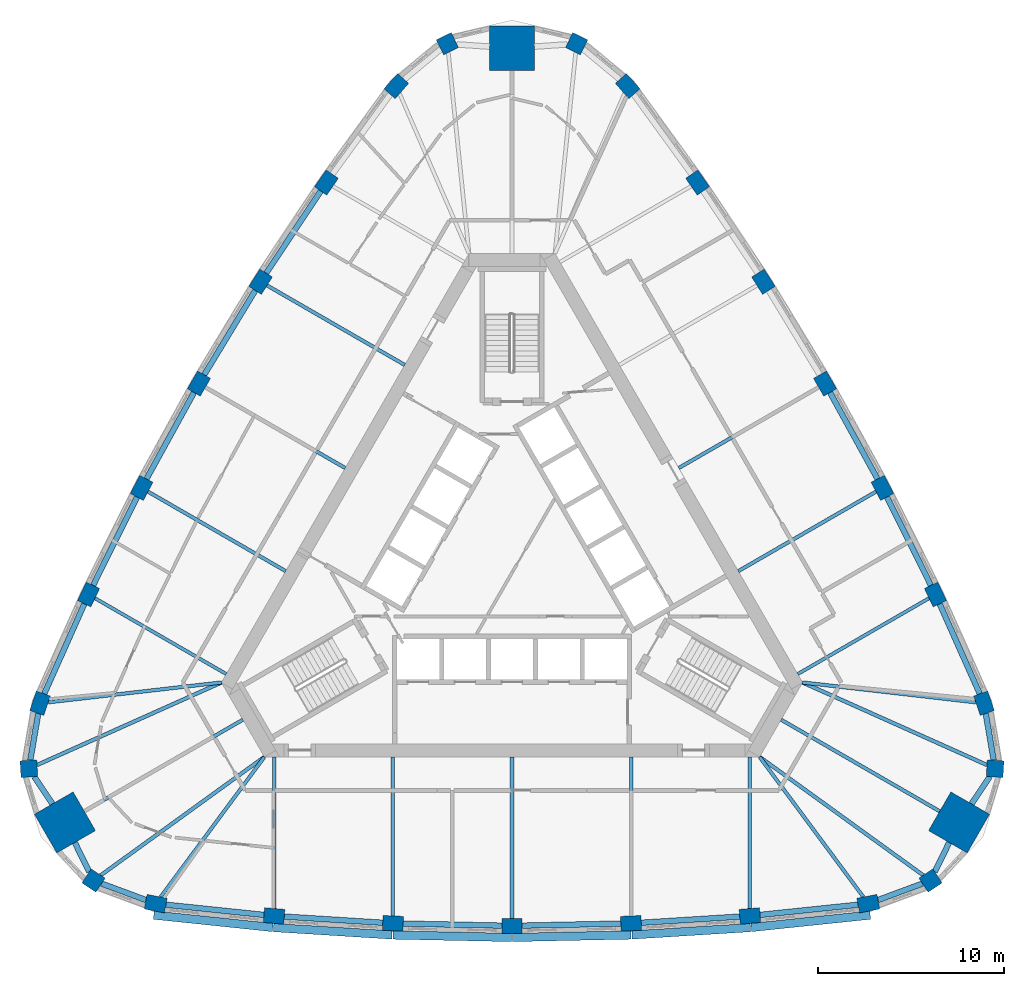
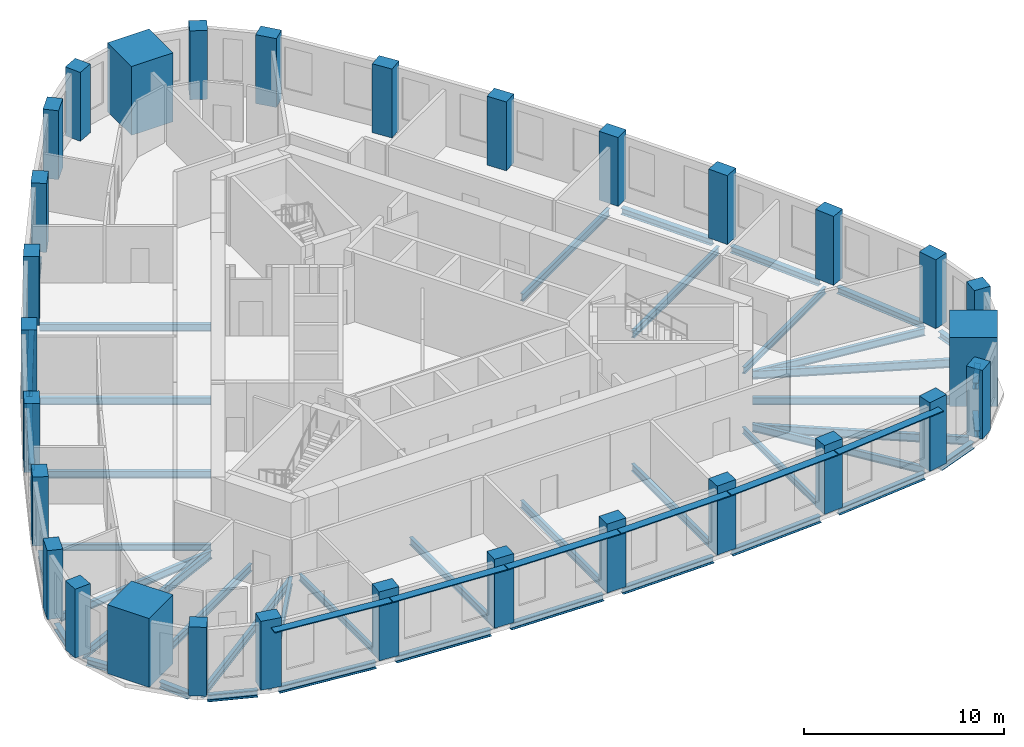
# One storey, part 1 of 10: 44 beams, 30 columns, 6 members.
"""IFC4 building model written with IfcOpenShell, lengths in metres."""

from ifc_helpers import new_model, si_unit, direction, frame, origin, origin_2d, place, context, subcontext, project, spatial, rectangle, i_section, extrude, material, material_profile, profile_set, type_object, element, save


model = new_model("IFC4")

# Units and contexts
model_context = context("Model", 3, precision=1e-05, world=origin(), true_north=direction((0.0, 1.0)))
body_context = subcontext(model_context, "Body", "Model", "MODEL_VIEW")
ifc_project = project(units=[si_unit("LENGTHUNIT", "METRE"), si_unit("AREAUNIT", "SQUARE_METRE"), si_unit("VOLUMEUNIT", "CUBIC_METRE"), si_unit("PLANEANGLEUNIT", "RADIAN"), si_unit("MASSUNIT", "GRAM", prefix="KILO")], contexts=[model_context])

# Site, building, storey
site_placement = place(None, origin())
site = spatial("IfcSite", under=ifc_project, at=site_placement, CompositionType="ELEMENT")
building_placement = place(site_placement, origin())
building = spatial("IfcBuilding", under=site, at=building_placement, Name="Mestral Congress Tower", CompositionType="ELEMENT")
storey_placement = place(building_placement, frame((0.0, 0.0, 214.199951171875)))
storey = spatial("IfcBuildingStorey", under=building, at=storey_placement, Name="L50", CompositionType="ELEMENT", Elevation=214.199951171875)

# Columns
ifc_material_1 = material(Name="Concrete C60/75", Category="concrete")
ifc_material_profile_1 = material_profile(ifc_material_1, rectangle(XDim=1.10009765625, YDim=0.800048828125, at=origin_2d()), Name="RC 1100x800")
ifc_profile_set_1 = profile_set([ifc_material_profile_1], Name="Concrete C60/75")
column_type_1 = type_object("IfcColumnType", Name="Column RC 1100x800 C60/75", PredefinedType="COLUMN", material=ifc_profile_set_1)
for number, where, z_axis, x_axis, name in (
    (1, (-19.150390625, -18.23681640625, 0.0), (0.0, 0.0, 1.0), (0.981324571854, -0.192359259395, 0.0), "COL-L50-C4-S00"),
    (2, (-12.785400390625, -18.899658203125, 0.0), (0.0, 0.0, 1.0), (0.996556680667, -0.082914306473, 0.0), "COL-L50-C4-S01"),
    (3, (-6.398193359375, -19.2978515625, 0.0), (0.0, 0.0, 1.0), (0.999138835542, -0.041492015025, 0.0), "COL-L50-C4-S02"),
    (4, (0.0, -19.4306640625, 0.0), (0.0, 0.0, 1.0), (1.0, 0.0, 0.0), "COL-L50-C4-S03"),
    (5, (6.398193359375, -19.2978515625, 0.0), (0.0, 0.0, 1.0), (0.999138835542, 0.041492015025, 0.0), "COL-L50-C4-S04"),
    (6, (12.785400390625, -18.899658203125, 0.0), (0.0, 0.0, 1.0), (0.996556680667, 0.082914306473, 0.0), "COL-L50-C4-S05"),
    (7, (19.150390625, -18.23681640625, 0.0), (0.0, 0.0, 1.0), (0.981324571854, 0.192359259395, 0.0), "COL-L50-C4-S06"),
    (8, (25.368896484375, -7.46630859375, 0.0), (0.0, 0.0, 1.0), (-0.324074280638, 0.946031638281, 0.0), "COL-L50-C4-E00"),
    (9, (22.76025390625, -1.62255859375, 0.0), (0.0, 0.0, 1.0), (-0.426472444591, 0.904500555005, 0.0), "COL-L50-C4-E01"),
    (10, (19.91162109375, 4.10791015625, 0.0), (0.0, 0.0, 1.0), (-0.463636278705, 0.886025621, 0.0), "COL-L50-C4-E02"),
    (11, (16.827392578125, 9.71533203125, 0.0), (0.0, 0.0, 1.0), (-0.5, 0.866025403784, 0.0), "COL-L50-C4-E03"),
    (12, (13.51318359375, 15.18994140625, 0.0), (0.0, 0.0, 1.0), (-0.535502556837, 0.844533605975, 0.0), "COL-L50-C4-E04"),
    (13, (9.974853515625, 20.522216796875, 0.0), (0.0, 0.0, 1.0), (-0.570084236076, 0.821586248532, 0.0), "COL-L50-C4-E05"),
    (14, (6.218505859375, 25.703125, 0.0), (0.0, 0.0, 1.0), (-0.657250291216, 0.753672378886, 0.0), "COL-L50-C4-E06"),
    (15, (-6.218505859375, 25.703125, 0.0), (0.0, 0.0, 1.0), (-0.657250291216, -0.753672378886, 0.0), "COL-L50-C4-W00"),
    (16, (-9.974853515625, 20.522216796875, 0.0), (0.0, 0.0, 1.0), (-0.570084236076, -0.821586248532, 0.0), "COL-L50-C4-W01"),
    (17, (-13.51318359375, 15.18994140625, 0.0), (0.0, 0.0, 1.0), (-0.535502556837, -0.844533605975, 0.0), "COL-L50-C4-W02"),
    (18, (-16.827392578125, 9.71533203125, 0.0), (0.0, 0.0, 1.0), (-0.5, -0.866025403784, 0.0), "COL-L50-C4-W03"),
    (19, (-19.91162109375, 4.10791015625, 0.0), (0.0, 0.0, 1.0), (-0.463636278705, -0.886025621, 0.0), "COL-L50-C4-W04"),
    (20, (-22.76025390625, -1.62255859375, 0.0), (0.0, 0.0, 1.0), (-0.426472444591, -0.904500555005, 0.0), "COL-L50-C4-W05"),
    (21, (-25.368896484375, -7.46630859375, 0.0), (0.0, 0.0, 1.0), (-0.324074280638, -0.946031638281, 0.0), "COL-L50-C4-W06"),
):
    element("IfcColumn", number, at=place(storey_placement, frame(where, z_axis=z_axis, x_axis=x_axis)), inside=storey, type_object=column_type_1, Name=name, PredefinedType="COLUMN", context=body_context, shape_type="SweptSolid", body=[
        extrude(rectangle(XDim=1.10009765625, YDim=0.800048828125, at=origin_2d()), origin(), (0.0, 0.0, 1.0), 4.199951171875),
    ])
ifc_material_profile_2 = material_profile(ifc_material_1, rectangle(XDim=0.89990234375, YDim=0.89990234375, at=origin_2d()), Name="RC 900x900")
ifc_profile_set_2 = profile_set([ifc_material_profile_2], Name="Concrete C60/75")
column_type_2 = type_object("IfcColumnType", Name="Column RC 900x900 C60/75", PredefinedType="COLUMN", material=ifc_profile_set_2)
for number, where, z_axis, x_axis, name in (
    (22, (22.494384765625, -16.99658203125, 0.0), (0.0, 0.0, 1.0), (0.833238868178, 0.552913183563, 0.0), "COL-L50-C4-SE1"),
    (23, (25.966552734375, -10.982421875, 0.0), (0.0, 0.0, 1.0), (0.062217428964, 0.998062619044, 0.0), "COL-L50-C4-SE3"),
    (24, (3.47216796875, 27.97900390625, 0.0), (0.0, 0.0, 1.0), (-0.895456297142, 0.445149435481, 0.0), "COL-L50-C4-N1"),
    (25, (-3.47216796875, 27.97900390625, 0.0), (0.0, 0.0, 1.0), (-0.895456297142, -0.445149435481, 0.0), "COL-L50-C4-N3"),
    (26, (-25.966552734375, -10.982421875, 0.0), (0.0, 0.0, 1.0), (0.062217428964, -0.998062619044, 0.0), "COL-L50-C4-SW1"),
    (27, (-22.494384765625, -16.99658203125, 0.0), (0.0, 0.0, 1.0), (0.833238868178, -0.552913183563, 0.0), "COL-L50-C4-SW3"),
):
    element("IfcColumn", number, at=place(storey_placement, frame(where, z_axis=z_axis, x_axis=x_axis)), inside=storey, type_object=column_type_2, Name=name, PredefinedType="COLUMN", context=body_context, shape_type="SweptSolid", body=[
        extrude(rectangle(XDim=0.89990234375, YDim=0.89990234375, at=origin_2d()), origin(), (0.0, 0.0, 1.0), 4.199951171875),
    ])
ifc_material_2 = material(Name="Concrete C70/85", Category="concrete")
ifc_material_profile_3 = material_profile(ifc_material_2, rectangle(XDim=2.39990234375, YDim=2.39990234375, at=origin_2d()), Name="RC 2400x2400")
ifc_profile_set_3 = profile_set([ifc_material_profile_3], Name="Concrete C70/85")
column_type_3 = type_object("IfcColumnType", Name="Mega column RC 2400x2400 C70/85", PredefinedType="COLUMN", material=ifc_profile_set_3)
for number, where, z_axis, x_axis, name in (
    (28, (24.02734375, -13.872314453125, 0.0), (0.0, 0.0, 1.0), (0.866025403784, -0.5, 0.0), "COL-L50-PY4-SE"),
    (29, (0.0, 27.744384765625, 0.0), (0.0, 0.0, 1.0), (0.0, 1.0, 0.0), "COL-L50-PY4-N"),
    (30, (-24.02734375, -13.872314453125, 0.0), (0.0, 0.0, 1.0), (-0.866025403784, -0.5, 0.0), "COL-L50-PY4-SW"),
):
    element("IfcColumn", number, at=place(storey_placement, frame(where, z_axis=z_axis, x_axis=x_axis)), inside=storey, type_object=column_type_3, Name=name, PredefinedType="COLUMN", context=body_context, shape_type="SweptSolid", body=[
        extrude(rectangle(XDim=2.39990234375, YDim=2.39990234375, at=origin_2d()), origin(), (0.0, 0.0, 1.0), 4.199951171875),
    ])

# Members
ifc_material_3 = material(Name="Glazed ceramic", Category="masonry")
ifc_material_profile_4 = material_profile(ifc_material_3, rectangle(XDim=0.449951171875, YDim=0.06005859375, at=origin_2d()), Name="Ceramic blade 450 x 60")
ifc_profile_set_4 = profile_set([ifc_material_profile_4], Name="Glazed ceramic")
member_type = type_object("IfcMemberType", Name="Facade sunshade blade 450 x 60", PredefinedType="USERDEFINED", material=ifc_profile_set_4)
member_1_placement = place(storey_placement, frame((-19.251708984375, -18.8544921875, 3.679931640625), z_axis=(0.994617919471, -0.103610782581, 0.0), x_axis=(0.103610782581, 0.994617919471, 0.0)))
element("IfcMember", 31, at=member_1_placement, inside=storey, type_object=member_type, Name="Sunshade F0-00", ObjectType="SUNSHADE", PredefinedType="USERDEFINED", context=body_context, shape_type="SweptSolid", body=[
    extrude(rectangle(XDim=0.449951171875, YDim=0.06005859375, at=origin_2d()), origin(), (0.0, 0.0, 1.0), 6.42578125),
])
member_2_placement = place(storey_placement, frame((-12.8134765625, -19.524169921875, 3.679931640625), z_axis=(0.99806373271, -0.062199561482, 0.0), x_axis=(0.062199561482, 0.99806373271, 0.0)))
element("IfcMember", 32, at=member_2_placement, inside=storey, type_object=member_type, Name="Sunshade F0-01", ObjectType="SUNSHADE", PredefinedType="USERDEFINED", context=body_context, shape_type="SweptSolid", body=[
    extrude(rectangle(XDim=0.449951171875, YDim=0.06005859375, at=origin_2d()), origin(), (0.0, 0.0, 1.0), 6.37841796875),
])
for number, where, z_axis, x_axis, name in (
    (33, (-6.400390625, -19.9228515625, 3.679931640625), (0.99978476383, -0.0207467109, 0.0), (0.0207467109, 0.99978476383, 0.0), "Sunshade F0-02"),
    (34, (0.023681640625, -20.05517578125, 3.679931640625), (0.99978476383, 0.0207467109, 0.0), (-0.0207467109, 0.99978476383, 0.0), "Sunshade F0-03"),
):
    element("IfcMember", number, at=place(storey_placement, frame(where, z_axis=z_axis, x_axis=x_axis)), inside=storey, type_object=member_type, Name=name, ObjectType="SUNSHADE", PredefinedType="USERDEFINED", context=body_context, shape_type="SweptSolid", body=[
        extrude(rectangle(XDim=0.449951171875, YDim=0.06005859375, at=origin_2d()), origin(), (0.0, 0.0, 1.0), 6.378173828125),
    ])
member_3_placement = place(storey_placement, frame((6.447509765625, -19.9208984375, 3.679931640625), z_axis=(0.99806373271, 0.062199561482, 0.0), x_axis=(-0.062199561482, 0.99806373271, 0.0)))
element("IfcMember", 35, at=member_3_placement, inside=storey, type_object=member_type, Name="Sunshade F0-04", ObjectType="SUNSHADE", PredefinedType="USERDEFINED", context=body_context, shape_type="SweptSolid", body=[
    extrude(rectangle(XDim=0.449951171875, YDim=0.06005859375, at=origin_2d()), origin(), (0.0, 0.0, 1.0), 6.37841796875),
])
member_4_placement = place(storey_placement, frame((12.860595703125, -19.520263671875, 3.679931640625), z_axis=(0.994617919471, 0.103610782581, 0.0), x_axis=(-0.103610782581, 0.994617919471, 0.0)))
element("IfcMember", 36, at=member_4_placement, inside=storey, type_object=member_type, Name="Sunshade F0-05", ObjectType="SUNSHADE", PredefinedType="USERDEFINED", context=body_context, shape_type="SweptSolid", body=[
    extrude(rectangle(XDim=0.449951171875, YDim=0.06005859375, at=origin_2d()), origin(), (0.0, 0.0, 1.0), 6.42578125),
])

# Beams
ifc_material_4 = material(Name="Steel S355", Category="steel")
ifc_material_profile_5 = material_profile(ifc_material_4, i_section(OverallWidth=0.179931640625, OverallDepth=0.39990234375, WebThickness=0.008544921875, FlangeThickness=0.013427734375, FilletRadius=0.02099609375, at=origin_2d()), Name="IPE 400")
ifc_profile_set_5 = profile_set([ifc_material_profile_5], Name="Steel S355")
beam_type_1 = type_object("IfcBeamType", Name="Floor beam IPE 400 S355", PredefinedType="BEAM", material=ifc_profile_set_5)
for number, where, z_axis, x_axis, name in (
    (37, (-12.785400390625, -18.498291015625, -0.449951171875), (0.0, 1.0, 0.0), (-1.0, 0.0, 0.0), "BM-L50-RB4-S01"),
    (38, (12.785400390625, -18.498291015625, -0.449951171875), (0.0, 1.0, 0.0), (-1.0, 0.0, 0.0), "BM-L50-RB4-S05"),
):
    element("IfcBeam", number, at=place(storey_placement, frame(where, z_axis=z_axis, x_axis=x_axis)), inside=storey, type_object=beam_type_1, Name=name, PredefinedType="BEAM", context=body_context, shape_type="SweptSolid", body=[
        extrude(i_section(OverallWidth=0.179931640625, OverallDepth=0.39990234375, WebThickness=0.008544921875, FlangeThickness=0.013427734375, FilletRadius=0.02099609375, at=origin_2d()), origin(), (0.0, 0.0, 1.0), 8.148193359375),
    ])
for number, where, z_axis, x_axis, name in (
    (39, (22.41259765625, -1.8232421875, -0.449951171875), (-0.866021929094, -0.500006018292, 0.0), (0.500006018292, -0.866021929094, 0.0), "BM-L50-RB4-E01"),
    (40, (-22.41259765625, -1.8232421875, -0.449951171875), (0.866021929094, -0.500006018292, 0.0), (0.500006018292, 0.866021929094, 0.0), "BM-L50-RB4-W05"),
):
    element("IfcBeam", number, at=place(storey_placement, frame(where, z_axis=z_axis, x_axis=x_axis)), inside=storey, type_object=beam_type_1, Name=name, PredefinedType="BEAM", context=body_context, shape_type="SweptSolid", body=[
        extrude(i_section(OverallWidth=0.179931640625, OverallDepth=0.39990234375, WebThickness=0.008544921875, FlangeThickness=0.013427734375, FilletRadius=0.02099609375, at=origin_2d()), origin(), (0.0, 0.0, 1.0), 8.1484375),
    ])
ifc_material_profile_6 = material_profile(ifc_material_4, i_section(OverallWidth=0.18994140625, OverallDepth=0.449951171875, WebThickness=0.009521484375, FlangeThickness=0.0146484375, FilletRadius=0.02099609375, at=origin_2d()), Name="IPE 450")
ifc_profile_set_6 = profile_set([ifc_material_profile_6], Name="Steel S355")
beam_type_2 = type_object("IfcBeamType", Name="Floor beam IPE 450 S355", PredefinedType="BEAM", material=ifc_profile_set_6)
beam_1_placement = place(storey_placement, frame((-18.88671875, -17.880859375, -0.474853515625), z_axis=(0.595263059859, 0.803530888994, 0.0), x_axis=(-0.803530888994, 0.595263059859, 0.0)))
element("IfcBeam", 41, at=beam_1_placement, inside=storey, type_object=beam_type_2, Name="BM-L50-RB4-S00", PredefinedType="BEAM", context=body_context, shape_type="SweptSolid", body=[
    extrude(i_section(OverallWidth=0.18994140625, OverallDepth=0.449951171875, WebThickness=0.009521484375, FlangeThickness=0.0146484375, FilletRadius=0.02099609375, at=origin_2d()), origin(), (0.0, 0.0, 1.0), 9.3720703125),
])
beam_2_placement = place(storey_placement, frame((-6.398193359375, -18.8974609375, -0.474853515625), z_axis=(0.0, 1.0, 0.0), x_axis=(-1.0, 0.0, 0.0)))
element("IfcBeam", 42, at=beam_2_placement, inside=storey, type_object=beam_type_2, Name="BM-L50-RB4-S02", PredefinedType="BEAM", context=body_context, shape_type="SweptSolid", body=[
    extrude(i_section(OverallWidth=0.18994140625, OverallDepth=0.449951171875, WebThickness=0.009521484375, FlangeThickness=0.0146484375, FilletRadius=0.02099609375, at=origin_2d()), origin(), (0.0, 0.0, 1.0), 8.54736328125),
])
beam_3_placement = place(storey_placement, frame((0.0, -19.030517578125, -0.474853515625), z_axis=(0.0, 1.0, 0.0), x_axis=(-1.0, 0.0, 0.0)))
element("IfcBeam", 43, at=beam_3_placement, inside=storey, type_object=beam_type_2, Name="BM-L50-RB4-S03", PredefinedType="BEAM", context=body_context, shape_type="SweptSolid", body=[
    extrude(i_section(OverallWidth=0.18994140625, OverallDepth=0.449951171875, WebThickness=0.009521484375, FlangeThickness=0.0146484375, FilletRadius=0.02099609375, at=origin_2d()), origin(), (0.0, 0.0, 1.0), 8.680419921875),
])
beam_4_placement = place(storey_placement, frame((6.398193359375, -18.8974609375, -0.474853515625), z_axis=(0.0, 1.0, 0.0), x_axis=(-1.0, 0.0, 0.0)))
element("IfcBeam", 44, at=beam_4_placement, inside=storey, type_object=beam_type_2, Name="BM-L50-RB4-S04", PredefinedType="BEAM", context=body_context, shape_type="SweptSolid", body=[
    extrude(i_section(OverallWidth=0.18994140625, OverallDepth=0.449951171875, WebThickness=0.009521484375, FlangeThickness=0.0146484375, FilletRadius=0.02099609375, at=origin_2d()), origin(), (0.0, 0.0, 1.0), 8.54736328125),
])
beam_5_placement = place(storey_placement, frame((18.88671875, -17.880859375, -0.474853515625), z_axis=(-0.595263059859, 0.803530888994, 0.0), x_axis=(-0.803530888994, -0.595263059859, 0.0)))
element("IfcBeam", 45, at=beam_5_placement, inside=storey, type_object=beam_type_2, Name="BM-L50-RB4-S06", PredefinedType="BEAM", context=body_context, shape_type="SweptSolid", body=[
    extrude(i_section(OverallWidth=0.18994140625, OverallDepth=0.449951171875, WebThickness=0.009521484375, FlangeThickness=0.0146484375, FilletRadius=0.02099609375, at=origin_2d()), origin(), (0.0, 0.0, 1.0), 9.3720703125),
])
beam_6_placement = place(storey_placement, frame((22.98828125, -13.272216796875, -0.474853515625), z_axis=(-0.866021631874, 0.500006533084, 0.0), x_axis=(-0.500006533084, -0.866021631874, 0.0)))
element("IfcBeam", 46, at=beam_6_placement, inside=storey, type_object=beam_type_2, Name="BM-L50-RB4-SE", PredefinedType="BEAM", context=body_context, shape_type="SweptSolid", body=[
    extrude(i_section(OverallWidth=0.18994140625, OverallDepth=0.449951171875, WebThickness=0.009521484375, FlangeThickness=0.0146484375, FilletRadius=0.02099609375, at=origin_2d()), origin(), (0.0, 0.0, 1.0), 9.844482421875),
])
beam_7_placement = place(storey_placement, frame((24.9287109375, -7.416015625, -0.474853515625), z_axis=(-0.99351166529, 0.11373025513, 0.0), x_axis=(-0.11373025513, -0.99351166529, 0.0)))
element("IfcBeam", 47, at=beam_7_placement, inside=storey, type_object=beam_type_2, Name="BM-L50-RB4-E00", PredefinedType="BEAM", context=body_context, shape_type="SweptSolid", body=[
    extrude(i_section(OverallWidth=0.18994140625, OverallDepth=0.449951171875, WebThickness=0.009521484375, FlangeThickness=0.0146484375, FilletRadius=0.02099609375, at=origin_2d()), origin(), (0.0, 0.0, 1.0), 9.372314453125),
])
beam_8_placement = place(storey_placement, frame((19.564697265625, 3.90771484375, -0.474853515625), z_axis=(-0.866028621479, -0.499994426748, 0.0), x_axis=(0.499994426748, -0.866028621479, 0.0)))
element("IfcBeam", 48, at=beam_8_placement, inside=storey, type_object=beam_type_2, Name="BM-L50-RB4-E02", PredefinedType="BEAM", context=body_context, shape_type="SweptSolid", body=[
    extrude(i_section(OverallWidth=0.18994140625, OverallDepth=0.449951171875, WebThickness=0.009521484375, FlangeThickness=0.0146484375, FilletRadius=0.02099609375, at=origin_2d()), origin(), (0.0, 0.0, 1.0), 8.54736328125),
])
beam_9_placement = place(storey_placement, frame((16.48095703125, 9.515380859375, -0.474853515625), z_axis=(-0.866022596503, -0.500004862322, 0.0), x_axis=(0.500004862322, -0.866022596503, 0.0)))
element("IfcBeam", 49, at=beam_9_placement, inside=storey, type_object=beam_type_2, Name="BM-L50-RB4-E03", PredefinedType="BEAM", context=body_context, shape_type="SweptSolid", body=[
    extrude(i_section(OverallWidth=0.18994140625, OverallDepth=0.449951171875, WebThickness=0.009521484375, FlangeThickness=0.0146484375, FilletRadius=0.02099609375, at=origin_2d()), origin(), (0.0, 0.0, 1.0), 8.6806640625),
])
beam_10_placement = place(storey_placement, frame((-13.16650390625, 14.98974609375, -0.474853515625), z_axis=(0.866028621479, -0.499994426748, 0.0), x_axis=(0.499994426748, 0.866028621479, 0.0)))
element("IfcBeam", 50, at=beam_10_placement, inside=storey, type_object=beam_type_2, Name="BM-L50-RB4-W02", PredefinedType="BEAM", context=body_context, shape_type="SweptSolid", body=[
    extrude(i_section(OverallWidth=0.18994140625, OverallDepth=0.449951171875, WebThickness=0.009521484375, FlangeThickness=0.0146484375, FilletRadius=0.02099609375, at=origin_2d()), origin(), (0.0, 0.0, 1.0), 8.54736328125),
])
beam_11_placement = place(storey_placement, frame((-16.48095703125, 9.515380859375, -0.474853515625), z_axis=(0.866022596503, -0.500004862322, 0.0), x_axis=(0.500004862322, 0.866022596503, 0.0)))
element("IfcBeam", 51, at=beam_11_placement, inside=storey, type_object=beam_type_2, Name="BM-L50-RB4-W03", PredefinedType="BEAM", context=body_context, shape_type="SweptSolid", body=[
    extrude(i_section(OverallWidth=0.18994140625, OverallDepth=0.449951171875, WebThickness=0.009521484375, FlangeThickness=0.0146484375, FilletRadius=0.02099609375, at=origin_2d()), origin(), (0.0, 0.0, 1.0), 8.6806640625),
])
beam_12_placement = place(storey_placement, frame((-19.564697265625, 3.90771484375, -0.474853515625), z_axis=(0.866028621479, -0.499994426748, 0.0), x_axis=(0.499994426748, 0.866028621479, 0.0)))
element("IfcBeam", 52, at=beam_12_placement, inside=storey, type_object=beam_type_2, Name="BM-L50-RB4-W04", PredefinedType="BEAM", context=body_context, shape_type="SweptSolid", body=[
    extrude(i_section(OverallWidth=0.18994140625, OverallDepth=0.449951171875, WebThickness=0.009521484375, FlangeThickness=0.0146484375, FilletRadius=0.02099609375, at=origin_2d()), origin(), (0.0, 0.0, 1.0), 8.54736328125),
])
beam_13_placement = place(storey_placement, frame((-24.9287109375, -7.416015625, -0.474853515625), z_axis=(0.99351166529, 0.11373025513, 0.0), x_axis=(-0.11373025513, 0.99351166529, 0.0)))
element("IfcBeam", 53, at=beam_13_placement, inside=storey, type_object=beam_type_2, Name="BM-L50-RB4-W06", PredefinedType="BEAM", context=body_context, shape_type="SweptSolid", body=[
    extrude(i_section(OverallWidth=0.18994140625, OverallDepth=0.449951171875, WebThickness=0.009521484375, FlangeThickness=0.0146484375, FilletRadius=0.02099609375, at=origin_2d()), origin(), (0.0, 0.0, 1.0), 9.372314453125),
])
beam_14_placement = place(storey_placement, frame((-22.98828125, -13.272216796875, -0.474853515625), z_axis=(0.866021631874, 0.500006533084, 0.0), x_axis=(-0.500006533084, 0.866021631874, 0.0)))
element("IfcBeam", 54, at=beam_14_placement, inside=storey, type_object=beam_type_2, Name="BM-L50-RB4-SW", PredefinedType="BEAM", context=body_context, shape_type="SweptSolid", body=[
    extrude(i_section(OverallWidth=0.18994140625, OverallDepth=0.449951171875, WebThickness=0.009521484375, FlangeThickness=0.0146484375, FilletRadius=0.02099609375, at=origin_2d()), origin(), (0.0, 0.0, 1.0), 9.844482421875),
])
ifc_material_profile_7 = material_profile(ifc_material_4, i_section(OverallWidth=0.199951171875, OverallDepth=0.5, WebThickness=0.01025390625, FlangeThickness=0.01611328125, FilletRadius=0.02099609375, at=origin_2d()), Name="IPE 500")
ifc_profile_set_7 = profile_set([ifc_material_profile_7], Name="Steel S355")
beam_type_3 = type_object("IfcBeamType", Name="Floor beam IPE 500 S355", PredefinedType="BEAM", material=ifc_profile_set_7)
beam_15_placement = place(storey_placement, frame((22.10498046875, -16.71484375, -0.5), z_axis=(-0.810186242112, 0.586172545496, 0.0), x_axis=(-0.586172545496, -0.810186242112, 0.0)))
element("IfcBeam", 55, at=beam_15_placement, inside=storey, type_object=beam_type_3, Name="BM-L50-RB4-SE1", PredefinedType="BEAM", context=body_context, shape_type="SweptSolid", body=[
    extrude(i_section(OverallWidth=0.199951171875, OverallDepth=0.5, WebThickness=0.01025390625, FlangeThickness=0.01611328125, FilletRadius=0.02099609375, at=origin_2d()), origin(), (0.0, 0.0, 1.0), 10.858154296875),
])
for number, where, z_axis, x_axis, name in (
    (56, (25.528076171875, -10.7861328125, -0.5), (-0.912742142995, 0.408536143323, 0.0), (-0.408536143323, -0.912742142995, 0.0), "BM-L50-RB4-SE3"),
    (57, (-25.528076171875, -10.7861328125, -0.5), (0.912742142995, 0.408536143323, 0.0), (-0.408536143323, 0.912742142995, 0.0), "BM-L50-RB4-SW1"),
):
    element("IfcBeam", number, at=place(storey_placement, frame(where, z_axis=z_axis, x_axis=x_axis)), inside=storey, type_object=beam_type_3, Name=name, PredefinedType="BEAM", context=body_context, shape_type="SweptSolid", body=[
        extrude(i_section(OverallWidth=0.199951171875, OverallDepth=0.5, WebThickness=0.01025390625, FlangeThickness=0.01611328125, FilletRadius=0.02099609375, at=origin_2d()), origin(), (0.0, 0.0, 1.0), 10.8583984375),
    ])
beam_16_placement = place(storey_placement, frame((-22.10498046875, -16.71484375, -0.5), z_axis=(0.810186242112, 0.586172545496, 0.0), x_axis=(-0.586172545496, 0.810186242112, 0.0)))
element("IfcBeam", 58, at=beam_16_placement, inside=storey, type_object=beam_type_3, Name="BM-L50-RB4-SW3", PredefinedType="BEAM", context=body_context, shape_type="SweptSolid", body=[
    extrude(i_section(OverallWidth=0.199951171875, OverallDepth=0.5, WebThickness=0.01025390625, FlangeThickness=0.01611328125, FilletRadius=0.02099609375, at=origin_2d()), origin(), (0.0, 0.0, 1.0), 10.858154296875),
])
ifc_material_profile_8 = material_profile(ifc_material_4, i_section(OverallWidth=0.300048828125, OverallDepth=0.389892578125, WebThickness=0.010986328125, FlangeThickness=0.01904296875, FilletRadius=0.027099609375, at=origin_2d()), Name="HEA 400")
ifc_profile_set_8 = profile_set([ifc_material_profile_8], Name="Steel S355")
beam_type_4 = type_object("IfcBeamType", Name="Spandrel beam HEA 400 S355", PredefinedType="BEAM", material=ifc_profile_set_8)
beam_17_placement = place(storey_placement, frame((-18.60107421875, -18.2939453125, -0.445068359375), z_axis=(0.994618013093, -0.103609883848, 0.0), x_axis=(0.103609883848, 0.994618013093, 0.0)))
element("IfcBeam", 59, at=beam_17_placement, inside=storey, type_object=beam_type_4, Name="SP-L50-SB4-S00", PredefinedType="BEAM", context=body_context, shape_type="SweptSolid", body=[
    extrude(i_section(OverallWidth=0.300048828125, OverallDepth=0.389892578125, WebThickness=0.010986328125, FlangeThickness=0.01904296875, FilletRadius=0.027099609375, at=origin_2d()), origin(), (0.0, 0.0, 1.0), 5.297119140625),
])
for number, where, z_axis, x_axis, name in (
    (60, (-12.236328125, -18.933837890625, -0.445068359375), (0.998061173507, -0.062240613248, 0.0), (0.062240613248, 0.998061173507, 0.0), "SP-L50-SB4-S01"),
    (61, (-5.84814453125, -19.309326171875, -0.445068359375), (0.999785070758, -0.020731914743, 0.0), (0.020731914743, 0.999785070758, 0.0), "SP-L50-SB4-S02"),
    (62, (0.550048828125, -19.419189453125, -0.445068359375), (0.999785070758, 0.020731914743, 0.0), (-0.020731914743, 0.999785070758, 0.0), "SP-L50-SB4-S03"),
    (63, (6.947265625, -19.263671875, -0.445068359375), (0.998061173507, 0.062240613248, 0.0), (-0.062240613248, 0.998061173507, 0.0), "SP-L50-SB4-S04"),
):
    element("IfcBeam", number, at=place(storey_placement, frame(where, z_axis=z_axis, x_axis=x_axis)), inside=storey, type_object=beam_type_4, Name=name, PredefinedType="BEAM", context=body_context, shape_type="SweptSolid", body=[
        extrude(i_section(OverallWidth=0.300048828125, OverallDepth=0.389892578125, WebThickness=0.010986328125, FlangeThickness=0.01904296875, FilletRadius=0.027099609375, at=origin_2d()), origin(), (0.0, 0.0, 1.0), 5.29931640625),
    ])
beam_18_placement = place(storey_placement, frame((13.33251953125, -18.8427734375, -0.445068359375), z_axis=(0.994618013093, 0.103609883848, 0.0), x_axis=(-0.103609883848, 0.994618013093, 0.0)))
element("IfcBeam", 64, at=beam_18_placement, inside=storey, type_object=beam_type_4, Name="SP-L50-SB4-S05", PredefinedType="BEAM", context=body_context, shape_type="SweptSolid", body=[
    extrude(i_section(OverallWidth=0.300048828125, OverallDepth=0.389892578125, WebThickness=0.010986328125, FlangeThickness=0.01904296875, FilletRadius=0.027099609375, at=origin_2d()), origin(), (0.0, 0.0, 1.0), 5.297119140625),
])
beam_19_placement = place(storey_placement, frame((19.6728515625, -18.04296875, -0.445068359375), z_axis=(0.937591421971, 0.347738875374, 0.0), x_axis=(-0.347738875374, 0.937591421971, 0.0)))
element("IfcBeam", 65, at=beam_19_placement, inside=storey, type_object=beam_type_4, Name="SP-L50-SB4-S06", PredefinedType="BEAM", context=body_context, shape_type="SweptSolid", body=[
    extrude(i_section(OverallWidth=0.300048828125, OverallDepth=0.389892578125, WebThickness=0.010986328125, FlangeThickness=0.01904296875, FilletRadius=0.027099609375, at=origin_2d()), origin(), (0.0, 0.0, 1.0), 2.547119140625),
])
for number, where, z_axis, x_axis, name in (
    (66, (22.723876953125, -16.528564453125, -0.445068359375), (0.440528581483, 0.897738586058, 0.0), (-0.897738586058, 0.440528581483, 0.0), "SP-L50-SB4-SE1"),
    (67, (24.697509765625, -12.87353515625, -0.445068359375), (0.557295931564, 0.830313943435, 0.0), (-0.830313943435, 0.557295931564, 0.0), "SP-L50-SB4-SE"),
):
    element("IfcBeam", number, at=place(storey_placement, frame(where, z_axis=z_axis, x_axis=x_axis)), inside=storey, type_object=beam_type_4, Name=name, PredefinedType="BEAM", context=body_context, shape_type="SweptSolid", body=[
        extrude(i_section(OverallWidth=0.300048828125, OverallDepth=0.389892578125, WebThickness=0.010986328125, FlangeThickness=0.01904296875, FilletRadius=0.027099609375, at=origin_2d()), origin(), (0.0, 0.0, 1.0), 1.75634765625),
    ])
beam_20_placement = place(storey_placement, frame((25.88916015625, -10.52685546875, -0.445068359375), z_axis=(-0.167630891496, 0.98584982843, 0.0), x_axis=(-0.98584982843, -0.167630891496, 0.0)))
element("IfcBeam", 68, at=beam_20_placement, inside=storey, type_object=beam_type_4, Name="SP-L50-SB4-SE3", PredefinedType="BEAM", context=body_context, shape_type="SweptSolid", body=[
    extrude(i_section(OverallWidth=0.300048828125, OverallDepth=0.389892578125, WebThickness=0.010986328125, FlangeThickness=0.01904296875, FilletRadius=0.027099609375, at=origin_2d()), origin(), (0.0, 0.0, 1.0), 2.54736328125),
])
beam_21_placement = place(storey_placement, frame((25.143798828125, -6.9619140625, -0.445068359375), z_axis=(-0.407626134336, 0.913148911518, 0.0), x_axis=(-0.913148911518, -0.407626134336, 0.0)))
element("IfcBeam", 69, at=beam_21_placement, inside=storey, type_object=beam_type_4, Name="SP-L50-SB4-E00", PredefinedType="BEAM", context=body_context, shape_type="SweptSolid", body=[
    extrude(i_section(OverallWidth=0.300048828125, OverallDepth=0.389892578125, WebThickness=0.010986328125, FlangeThickness=0.01904296875, FilletRadius=0.027099609375, at=origin_2d()), origin(), (0.0, 0.0, 1.0), 5.296875),
])
beam_22_placement = place(storey_placement, frame((22.515380859375, -1.1298828125, -0.445068359375), z_axis=(-0.445148375831, 0.895456823914, 0.0), x_axis=(-0.895456823914, -0.445148375831, 0.0)))
element("IfcBeam", 70, at=beam_22_placement, inside=storey, type_object=beam_type_4, Name="SP-L50-SB4-E01", PredefinedType="BEAM", context=body_context, shape_type="SweptSolid", body=[
    extrude(i_section(OverallWidth=0.300048828125, OverallDepth=0.389892578125, WebThickness=0.010986328125, FlangeThickness=0.01904296875, FilletRadius=0.027099609375, at=origin_2d()), origin(), (0.0, 0.0, 1.0), 5.299072265625),
])
beam_23_placement = place(storey_placement, frame((19.646484375, 4.58984375, -0.445068359375), z_axis=(-0.481918749772, 0.876215908677, 0.0), x_axis=(-0.876215908677, -0.481918749772, 0.0)))
element("IfcBeam", 71, at=beam_23_placement, inside=storey, type_object=beam_type_4, Name="SP-L50-SB4-E02", PredefinedType="BEAM", context=body_context, shape_type="SweptSolid", body=[
    extrude(i_section(OverallWidth=0.300048828125, OverallDepth=0.389892578125, WebThickness=0.010986328125, FlangeThickness=0.01904296875, FilletRadius=0.027099609375, at=origin_2d()), origin(), (0.0, 0.0, 1.0), 5.299560546875),
])
for number, where, z_axis, x_axis, name in (
    (72, (-10.279052734375, 20.063720703125, -0.445068359375), (-0.552934106774, -0.833224983762, 0.0), (0.833224983762, -0.552934106774, 0.0), "SP-L50-SB4-W01"),
    (73, (-13.798095703125, 14.71923828125, -0.445068359375), (-0.517865676042, -0.855461946306, 0.0), (0.855461946306, -0.517865676042, 0.0), "SP-L50-SB4-W02"),
):
    element("IfcBeam", number, at=place(storey_placement, frame(where, z_axis=z_axis, x_axis=x_axis)), inside=storey, type_object=beam_type_4, Name=name, PredefinedType="BEAM", context=body_context, shape_type="SweptSolid", body=[
        extrude(i_section(OverallWidth=0.300048828125, OverallDepth=0.389892578125, WebThickness=0.010986328125, FlangeThickness=0.01904296875, FilletRadius=0.027099609375, at=origin_2d()), origin(), (0.0, 0.0, 1.0), 5.29931640625),
    ])
beam_24_placement = place(storey_placement, frame((-17.092529296875, 9.2333984375, -0.445068359375), z_axis=(-0.481918749772, -0.876215908677, 0.0), x_axis=(0.876215908677, -0.481918749772, 0.0)))
element("IfcBeam", 74, at=beam_24_placement, inside=storey, type_object=beam_type_4, Name="SP-L50-SB4-W03", PredefinedType="BEAM", context=body_context, shape_type="SweptSolid", body=[
    extrude(i_section(OverallWidth=0.300048828125, OverallDepth=0.389892578125, WebThickness=0.010986328125, FlangeThickness=0.01904296875, FilletRadius=0.027099609375, at=origin_2d()), origin(), (0.0, 0.0, 1.0), 5.299560546875),
])
beam_25_placement = place(storey_placement, frame((-20.156494140625, 3.615234375, -0.445068359375), z_axis=(-0.445148375831, -0.895456823914, 0.0), x_axis=(0.895456823914, -0.445148375831, 0.0)))
element("IfcBeam", 75, at=beam_25_placement, inside=storey, type_object=beam_type_4, Name="SP-L50-SB4-W04", PredefinedType="BEAM", context=body_context, shape_type="SweptSolid", body=[
    extrude(i_section(OverallWidth=0.300048828125, OverallDepth=0.389892578125, WebThickness=0.010986328125, FlangeThickness=0.01904296875, FilletRadius=0.027099609375, at=origin_2d()), origin(), (0.0, 0.0, 1.0), 5.299072265625),
])
beam_26_placement = place(storey_placement, frame((-22.984619140625, -2.125, -0.445068359375), z_axis=(-0.407626134336, -0.913148911518, 0.0), x_axis=(0.913148911518, -0.407626134336, 0.0)))
element("IfcBeam", 76, at=beam_26_placement, inside=storey, type_object=beam_type_4, Name="SP-L50-SB4-W05", PredefinedType="BEAM", context=body_context, shape_type="SweptSolid", body=[
    extrude(i_section(OverallWidth=0.300048828125, OverallDepth=0.389892578125, WebThickness=0.010986328125, FlangeThickness=0.01904296875, FilletRadius=0.027099609375, at=origin_2d()), origin(), (0.0, 0.0, 1.0), 5.296875),
])
beam_27_placement = place(storey_placement, frame((-25.462158203125, -8.015625, -0.445068359375), z_axis=(-0.167630891496, -0.98584982843, 0.0), x_axis=(0.98584982843, -0.167630891496, 0.0)))
element("IfcBeam", 77, at=beam_27_placement, inside=storey, type_object=beam_type_4, Name="SP-L50-SB4-W06", PredefinedType="BEAM", context=body_context, shape_type="SweptSolid", body=[
    extrude(i_section(OverallWidth=0.300048828125, OverallDepth=0.389892578125, WebThickness=0.010986328125, FlangeThickness=0.01904296875, FilletRadius=0.027099609375, at=origin_2d()), origin(), (0.0, 0.0, 1.0), 2.54736328125),
])
for number, where, z_axis, x_axis, name in (
    (78, (-25.67626953125, -11.415283203125, -0.445068359375), (0.557295931564, -0.830313943435, 0.0), (0.830313943435, 0.557295931564, 0.0), "SP-L50-SB4-SW1"),
    (79, (-23.49755859375, -14.951904296875, -0.445068359375), (0.440528581483, -0.897738586058, 0.0), (0.897738586058, 0.440528581483, 0.0), "SP-L50-SB4-SW"),
):
    element("IfcBeam", number, at=place(storey_placement, frame(where, z_axis=z_axis, x_axis=x_axis)), inside=storey, type_object=beam_type_4, Name=name, PredefinedType="BEAM", context=body_context, shape_type="SweptSolid", body=[
        extrude(i_section(OverallWidth=0.300048828125, OverallDepth=0.389892578125, WebThickness=0.010986328125, FlangeThickness=0.01904296875, FilletRadius=0.027099609375, at=origin_2d()), origin(), (0.0, 0.0, 1.0), 1.75634765625),
    ])
beam_28_placement = place(storey_placement, frame((-22.06103515625, -17.1572265625, -0.445068359375), z_axis=(0.937591421971, -0.347738875374, 0.0), x_axis=(0.347738875374, 0.937591421971, 0.0)))
element("IfcBeam", 80, at=beam_28_placement, inside=storey, type_object=beam_type_4, Name="SP-L50-SB4-SW3", PredefinedType="BEAM", context=body_context, shape_type="SweptSolid", body=[
    extrude(i_section(OverallWidth=0.300048828125, OverallDepth=0.389892578125, WebThickness=0.010986328125, FlangeThickness=0.01904296875, FilletRadius=0.027099609375, at=origin_2d()), origin(), (0.0, 0.0, 1.0), 2.547119140625),
])

save(model, "model.ifc")
